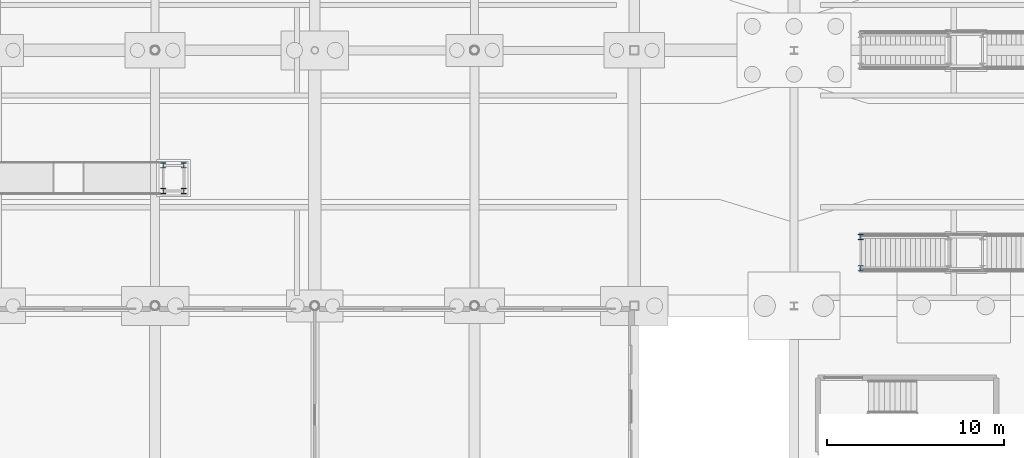
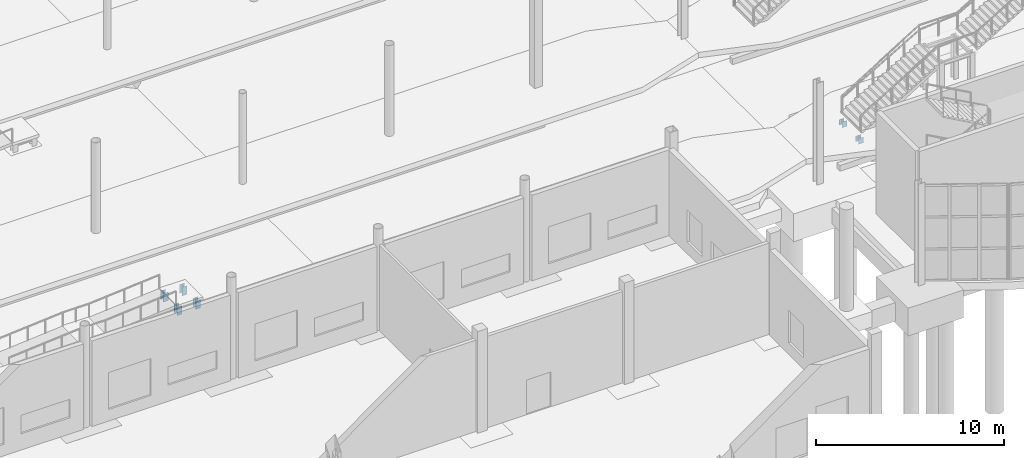
# One storey, part 32 of 115: 6 columns.
"""IFC4 building model written with IfcOpenShell, lengths in metres."""

from ifc_helpers import new_model, si_unit, direction, frame, origin, origin_2d, place, context, subcontext, project, spatial, i_section, extrude, material, material_profile, profile_set, type_object, element, save


model = new_model("IFC4")

# Units and contexts
model_context = context("Model", 3, precision=1e-05, world=origin(), true_north=direction((0.0, 1.0)))
body_context = subcontext(model_context, "Body", "Model", "MODEL_VIEW")
ifc_project = project(units=[si_unit("LENGTHUNIT", "METRE"), si_unit("AREAUNIT", "SQUARE_METRE"), si_unit("VOLUMEUNIT", "CUBIC_METRE"), si_unit("PLANEANGLEUNIT", "RADIAN"), si_unit("MASSUNIT", "GRAM", prefix="KILO")], contexts=[model_context])

# Site, building, storey
site_placement = place(None, origin())
site = spatial("IfcSite", under=ifc_project, at=site_placement, CompositionType="ELEMENT")
building_placement = place(site_placement, origin())
building = spatial("IfcBuilding", under=site, at=building_placement, Name="Tamarisk Ironworks Central Station", CompositionType="ELEMENT")
storey_placement = place(building_placement, origin())
storey = spatial("IfcBuildingStorey", under=building, at=storey_placement, Name="L00", CompositionType="ELEMENT", Elevation=0.0)

# Columns
ifc_material = material(Name="Structural steel S355J2", Category="steel")
ifc_material_profile = material_profile(ifc_material, i_section(OverallWidth=0.300048828125, OverallDepth=0.300048828125, WebThickness=0.010986328125, FlangeThickness=0.01904296875, at=origin_2d()), Name="HEB 300")
ifc_profile_set = profile_set([ifc_material_profile], Name="Structural steel S355J2")
column_type = type_object("IfcColumnType", Name="COL-S12", PredefinedType="COLUMN", material=ifc_profile_set)
for number, where, z_axis, x_axis, name in (
    (1, (57.760009765625, 23.719970703125, 0.0), (0.0, 0.0, 1.0), (1.0, 0.0, 0.0), "ST-P1A bottom stringer support post S"),
    (2, (57.760009765625, 25.47998046875, 0.0), (0.0, 0.0, 1.0), (1.0, 0.0, 0.0), "ST-P1A bottom stringer support post N"),
):
    element("IfcColumn", number, at=place(storey_placement, frame(where, z_axis=z_axis, x_axis=x_axis)), inside=storey, type_object=column_type, Name=name, PredefinedType="COLUMN", context=body_context, shape_type="SweptSolid", body=[
        extrude(i_section(OverallWidth=0.300048828125, OverallDepth=0.300048828125, WebThickness=0.010986328125, FlangeThickness=0.01904296875, at=origin_2d()), origin(), (0.0, 0.0, 1.0), 0.360107421875),
    ])
for number, where, z_axis, x_axis, name in (
    (3, (18.4599609375, 28.080078125, 0.0), (0.0, 0.0, 1.0), (1.0, 0.0, 0.0), "RMP-P1W arrival landing post 1"),
    (4, (19.6201171875, 28.080078125, 0.0), (0.0, 0.0, 1.0), (1.0, 0.0, 0.0), "RMP-P1W arrival landing post 2"),
    (5, (18.4599609375, 29.52001953125, 0.0), (0.0, 0.0, 1.0), (1.0, 0.0, 0.0), "RMP-P1W arrival landing post 3"),
    (6, (19.6201171875, 29.52001953125, 0.0), (0.0, 0.0, 1.0), (1.0, 0.0, 0.0), "RMP-P1W arrival landing post 4"),
):
    element("IfcColumn", number, at=place(storey_placement, frame(where, z_axis=z_axis, x_axis=x_axis)), inside=storey, type_object=column_type, Name=name, PredefinedType="COLUMN", context=body_context, shape_type="SweptSolid", body=[
        extrude(i_section(OverallWidth=0.300048828125, OverallDepth=0.300048828125, WebThickness=0.010986328125, FlangeThickness=0.01904296875, at=origin_2d()), origin(), (0.0, 0.0, 1.0), 0.56005859375),
    ])

save(model, "model.ifc")
